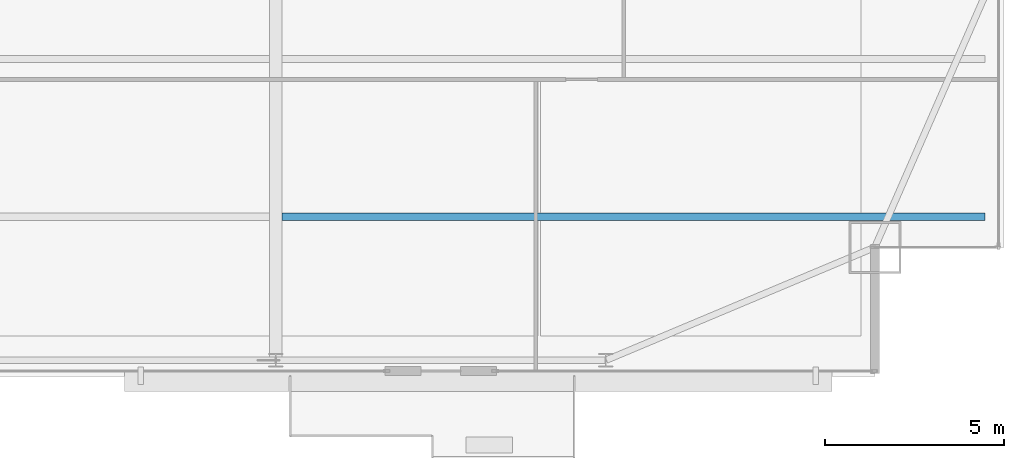
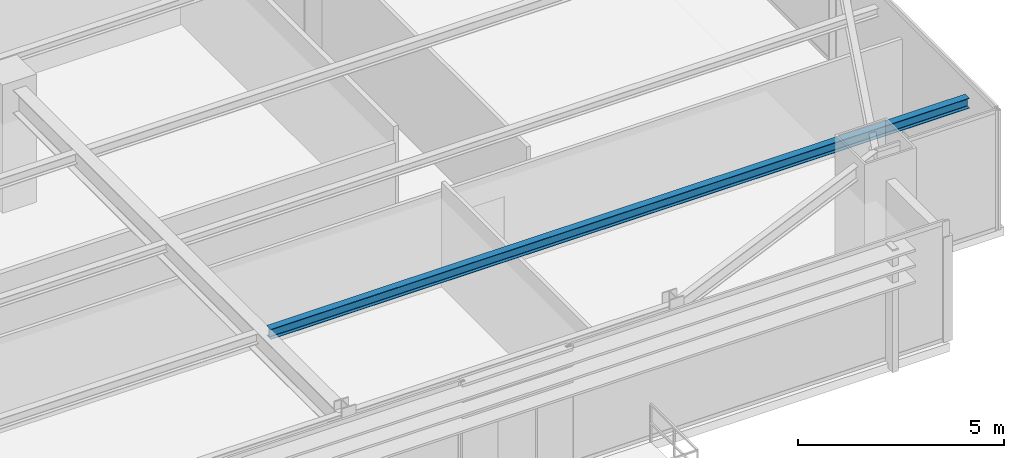
# One storey, part 15 of 36: 1 beam.
"""IFC4 building model written with IfcOpenShell, lengths in metres."""

from ifc_helpers import new_model, si_unit, direction, frame, origin, origin_2d, place, context, subcontext, project, spatial, i_section, extrude, source, transform, mapped, material, material_profile, profile_set, type_object, type_shapes, element, save


model = new_model("IFC4")

# Units and contexts
model_context = context("Model", 3, precision=1e-05, world=origin(), true_north=direction((0.0, 1.0)))
body_context = subcontext(model_context, "Body", "Model", "MODEL_VIEW")
ifc_project = project(units=[si_unit("LENGTHUNIT", "METRE"), si_unit("AREAUNIT", "SQUARE_METRE"), si_unit("VOLUMEUNIT", "CUBIC_METRE"), si_unit("PLANEANGLEUNIT", "RADIAN"), si_unit("MASSUNIT", "GRAM", prefix="KILO")], contexts=[model_context])

# Site, building, storey
site_placement = place(None, origin())
site = spatial("IfcSite", under=ifc_project, at=site_placement, CompositionType="ELEMENT")
building_placement = place(site_placement, origin())
building = spatial("IfcBuilding", under=site, at=building_placement, Name="Varnel Quay Broadcast Tower", CompositionType="ELEMENT")
storey_placement = place(building_placement, frame((0.0, 0.0, 114.39990234375)))
storey = spatial("IfcBuildingStorey", under=building, at=storey_placement, Name="L27", CompositionType="ELEMENT", Elevation=114.39990234375)

# Beam
ifc_material = material(Name="Structural Steel CSA G40.21 350W", Category="steel")
ifc_material_profile = material_profile(ifc_material, i_section(OverallWidth=0.202880859375, OverallDepth=0.302978515625, WebThickness=0.007568359375, FlangeThickness=0.01318359375, FilletRadius=0.011962890625, at=origin_2d()), Name="W310X60")
ifc_profile_set = profile_set([ifc_material_profile], Name="Structural Steel CSA G40.21 350W")
beam_type = type_object("IfcBeamType", Name="Beam_W310X60", PredefinedType="JOIST", material=ifc_profile_set)
shared_shape = source(origin(), body_context, "Body", "SweptSolid", [
    extrude(i_section(OverallWidth=0.202880859375, OverallDepth=0.302978515625, WebThickness=0.007568359375, FlangeThickness=0.01318359375, FilletRadius=0.011962890625, at=origin_2d()), origin(), (0.0, 0.0, 1.0), 19.592041015625),
])
type_shapes(beam_type, [shared_shape])
beam_placement = place(storey_placement, frame((43.37255859375, 8.64990234375, 3.398681640625), z_axis=(1.0, 0.0, 0.0), x_axis=(0.0, 1.0, 0.0)))
element("IfcBeam", 1, at=beam_placement, inside=storey, type_object=beam_type, Name="L27 East Floor Joist 1", PredefinedType="JOIST", context=body_context, shape_type="MappedRepresentation", body=[
    mapped(shared_shape, transform((0.0, 0.0, 0.0), x_axis=(1.0, 0.0, 0.0), y_axis=(0.0, 1.0, 0.0), z_axis=(0.0, 0.0, 1.0), scale=1.0)),
])

save(model, "model.ifc")
